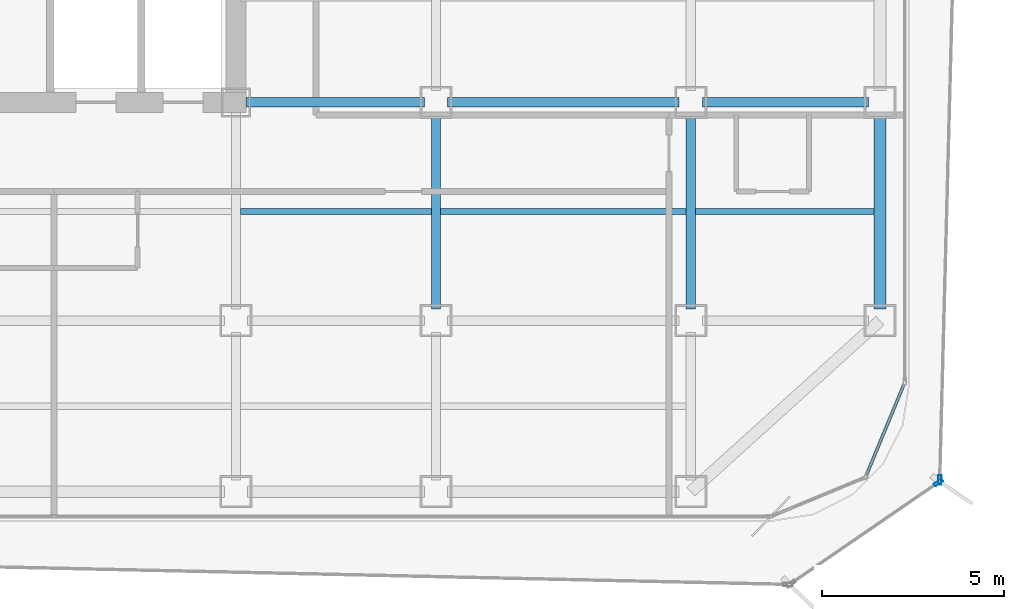
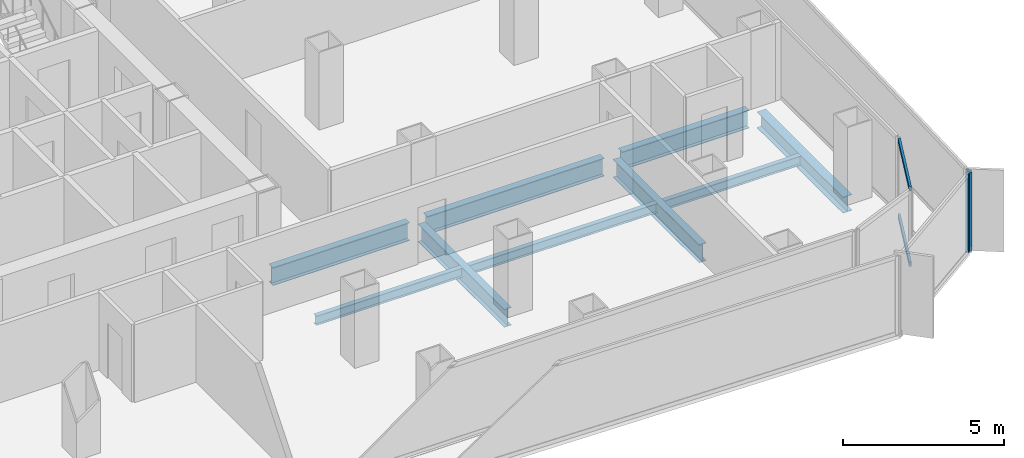
# One storey, part 7 of 21: 9 beams, 4 members, 3 elements without a shape of their own.
"""IFC4 building model written with IfcOpenShell, lengths in metres."""

from ifc_helpers import new_model, si_unit, direction, frame, origin, origin_2d, place, context, subcontext, project, spatial, hollow_rectangle, i_section, extrude, source, transform, mapped, material, layer, layer_set, material_profile, profile_set, type_object, element, aggregate, save


model = new_model("IFC4")

# Units and contexts
model_context = context("Model", 3, precision=1e-05, world=origin(), true_north=direction((0.0, 1.0)))
body_context = subcontext(model_context, "Body", "Model", "MODEL_VIEW")
ifc_project = project(units=[si_unit("LENGTHUNIT", "METRE"), si_unit("AREAUNIT", "SQUARE_METRE"), si_unit("VOLUMEUNIT", "CUBIC_METRE"), si_unit("PLANEANGLEUNIT", "RADIAN"), si_unit("MASSUNIT", "GRAM", prefix="KILO")], contexts=[model_context])

# Site, building, storey
site_placement = place(None, origin())
site = spatial("IfcSite", under=ifc_project, at=site_placement, CompositionType="ELEMENT")
building_placement = place(site_placement, origin())
building = spatial("IfcBuilding", under=site, at=building_placement, Name="Kolveth Station Tower", CompositionType="ELEMENT")
storey_placement = place(building_placement, frame((0.0, 0.0, 134.300048828125)))
storey = spatial("IfcBuildingStorey", under=building, at=storey_placement, Name="L37", CompositionType="ELEMENT", Elevation=134.300048828125)

# Beams
ifc_material_1 = material(Name="Steel S355", Category="steel")
ifc_material_profile_1 = material_profile(ifc_material_1, i_section(OverallWidth=0.323974609375, OverallDepth=0.611083984375, WebThickness=0.0126953125, FlangeThickness=0.01904296875, at=origin_2d()), Name="W610x155")
ifc_profile_set_1 = profile_set([ifc_material_profile_1], Name="Steel S355")
beam_type_1 = type_object("IfcBeamType", Name="Beam_SP2", PredefinedType="SPANDREL", material=ifc_profile_set_1)
shared_shape_1 = source(origin(), body_context, "Body", "SweptSolid", [
    extrude(i_section(OverallWidth=0.323974609375, OverallDepth=0.611083984375, WebThickness=0.0126953125, FlangeThickness=0.01904296875, at=origin_2d()), origin(), (0.0, 0.0, 1.0), 5.35986328125),
])
beam_1_placement = place(storey_placement, frame((46.199951171875, 5.820068359375, -0.5556640625), z_axis=(0.0, 1.0, 0.0), x_axis=(-1.0, 0.0, 0.0)))
element("IfcBeam", 1, at=beam_1_placement, inside=storey, type_object=beam_type_1, Name="L37 Perimeter Spandrel BM-L37-PE-1", PredefinedType="SPANDREL", context=body_context, shape_type="MappedRepresentation", body=[
    mapped(shared_shape_1, transform((0.0, 0.0, 0.0), x_axis=(1.0, 0.0, 0.0), y_axis=(0.0, 1.0, 0.0), z_axis=(0.0, 0.0, 1.0), scale=1.0)),
])
ifc_material_profile_2 = material_profile(ifc_material_1, i_section(OverallWidth=0.25390625, OverallDepth=0.68798828125, WebThickness=0.01318359375, FlangeThickness=0.02099609375, at=origin_2d()), Name="W690x152")
ifc_profile_set_2 = profile_set([ifc_material_profile_2], Name="Steel S355")
beam_type_2 = type_object("IfcBeamType", Name="Beam_B4", PredefinedType="BEAM", material=ifc_profile_set_2)
shared_shape_2 = source(origin(), body_context, "Body", "SweptSolid", [
    extrude(i_section(OverallWidth=0.25390625, OverallDepth=0.68798828125, WebThickness=0.01318359375, FlangeThickness=0.02099609375, at=origin_2d()), origin(), (0.0, 0.0, 1.0), 4.559814453125),
])
beam_2_placement = place(storey_placement, frame((41.320068359375, 11.5, -0.593994140625), z_axis=(1.0, 0.0, 0.0), x_axis=(0.0, 1.0, 0.0)))
element("IfcBeam", 2, at=beam_2_placement, inside=storey, type_object=beam_type_2, Name="L37 Primary Girder BM-L37-GY115-7", PredefinedType="BEAM", context=body_context, shape_type="MappedRepresentation", body=[
    mapped(shared_shape_2, transform((0.0, 0.0, 0.0), x_axis=(1.0, 0.0, 0.0), y_axis=(0.0, 1.0, 0.0), z_axis=(0.0, 0.0, 1.0), scale=1.0)),
])
shared_shape_3 = source(origin(), body_context, "Body", "SweptSolid", [
    extrude(i_section(OverallWidth=0.25390625, OverallDepth=0.68798828125, WebThickness=0.01318359375, FlangeThickness=0.02099609375, at=origin_2d()), origin(), (0.0, 0.0, 1.0), 6.35986328125),
])
beam_3_placement = place(storey_placement, frame((34.320068359375, 11.5, -0.593994140625), z_axis=(1.0, 0.0, 0.0), x_axis=(0.0, 1.0, 0.0)))
element("IfcBeam", 3, at=beam_3_placement, inside=storey, type_object=beam_type_2, Name="L37 Primary Girder BM-L37-GY115-6", PredefinedType="BEAM", context=body_context, shape_type="MappedRepresentation", body=[
    mapped(shared_shape_3, transform((0.0, 0.0, 0.0), x_axis=(1.0, 0.0, 0.0), y_axis=(0.0, 1.0, 0.0), z_axis=(0.0, 0.0, 1.0), scale=1.0)),
])
shared_shape_4 = source(origin(), body_context, "Body", "SweptSolid", [
    extrude(i_section(OverallWidth=0.25390625, OverallDepth=0.68798828125, WebThickness=0.01318359375, FlangeThickness=0.02099609375, at=origin_2d()), origin(), (0.0, 0.0, 1.0), 4.89990234375),
])
beam_4_placement = place(storey_placement, frame((28.780029296875, 11.5, -0.593994140625), z_axis=(1.0, 0.0, 0.0), x_axis=(0.0, 1.0, 0.0)))
element("IfcBeam", 4, at=beam_4_placement, inside=storey, type_object=beam_type_2, Name="L37 Primary Girder BM-L37-GY115-5", PredefinedType="BEAM", context=body_context, shape_type="MappedRepresentation", body=[
    mapped(shared_shape_4, transform((0.0, 0.0, 0.0), x_axis=(1.0, 0.0, 0.0), y_axis=(0.0, 1.0, 0.0), z_axis=(0.0, 0.0, 1.0), scale=1.0)),
])
shared_shape_5 = source(origin(), body_context, "Body", "SweptSolid", [
    extrude(i_section(OverallWidth=0.25390625, OverallDepth=0.68798828125, WebThickness=0.01318359375, FlangeThickness=0.02099609375, at=origin_2d()), origin(), (0.0, 0.0, 1.0), 5.35986328125),
])
for number, where, z_axis, x_axis, name in (
    (5, (34.0, 5.820068359375, -0.593994140625), (0.0, 1.0, 0.0), (-1.0, 0.0, 0.0), "L37 Primary Girder BM-L37-GX340-2"),
    (6, (41.0, 5.820068359375, -0.593994140625), (0.0, 1.0, 0.0), (-1.0, 0.0, 0.0), "L37 Primary Girder BM-L37-GX410-2"),
):
    element("IfcBeam", number, at=place(storey_placement, frame(where, z_axis=z_axis, x_axis=x_axis)), inside=storey, type_object=beam_type_2, Name=name, PredefinedType="BEAM", context=body_context, shape_type="MappedRepresentation", body=[
        mapped(shared_shape_5, transform((0.0, 0.0, 0.0), x_axis=(1.0, 0.0, 0.0), y_axis=(0.0, 1.0, 0.0), z_axis=(0.0, 0.0, 1.0), scale=1.0)),
    ])
ifc_material_profile_3 = material_profile(ifc_material_1, i_section(OverallWidth=0.1708984375, OverallDepth=0.35205078125, WebThickness=0.0068359375, FlangeThickness=0.009765625, at=origin_2d()), Name="W360x44")
ifc_profile_set_3 = profile_set([ifc_material_profile_3], Name="Steel S355")
beam_type_3 = type_object("IfcBeamType", Name="Beam_J2", PredefinedType="JOIST", material=ifc_profile_set_3)
shared_shape_6 = source(origin(), body_context, "Body", "SweptSolid", [
    extrude(i_section(OverallWidth=0.1708984375, OverallDepth=0.35205078125, WebThickness=0.0068359375, FlangeThickness=0.009765625, at=origin_2d()), origin(), (0.0, 0.0, 1.0), 4.9150390625),
])
beam_5_placement = place(storey_placement, frame((41.125, 8.5, -0.426025390625), z_axis=(1.0, 0.0, 0.0), x_axis=(0.0, 1.0, 0.0)))
element("IfcBeam", 7, at=beam_5_placement, inside=storey, type_object=beam_type_3, Name="L37 Secondary Joist JST-L37-7-2", PredefinedType="JOIST", context=body_context, shape_type="MappedRepresentation", body=[
    mapped(shared_shape_6, transform((0.0, 0.0, 0.0), x_axis=(1.0, 0.0, 0.0), y_axis=(0.0, 1.0, 0.0), z_axis=(0.0, 0.0, 1.0), scale=1.0)),
])
shared_shape_7 = source(origin(), body_context, "Body", "SweptSolid", [
    extrude(i_section(OverallWidth=0.1708984375, OverallDepth=0.35205078125, WebThickness=0.0068359375, FlangeThickness=0.009765625, at=origin_2d()), origin(), (0.0, 0.0, 1.0), 6.75),
])
beam_6_placement = place(storey_placement, frame((34.125, 8.5, -0.426025390625), z_axis=(1.0, 0.0, 0.0), x_axis=(0.0, 1.0, 0.0)))
element("IfcBeam", 8, at=beam_6_placement, inside=storey, type_object=beam_type_3, Name="L37 Secondary Joist JST-L37-6-2", PredefinedType="JOIST", context=body_context, shape_type="MappedRepresentation", body=[
    mapped(shared_shape_7, transform((0.0, 0.0, 0.0), x_axis=(1.0, 0.0, 0.0), y_axis=(0.0, 1.0, 0.0), z_axis=(0.0, 0.0, 1.0), scale=1.0)),
])
shared_shape_8 = source(origin(), body_context, "Body", "SweptSolid", [
    extrude(i_section(OverallWidth=0.1708984375, OverallDepth=0.35205078125, WebThickness=0.0068359375, FlangeThickness=0.009765625, at=origin_2d()), origin(), (0.0, 0.0, 1.0), 5.25),
])
beam_7_placement = place(storey_placement, frame((28.625, 8.5, -0.426025390625), z_axis=(1.0, 0.0, 0.0), x_axis=(0.0, 1.0, 0.0)))
element("IfcBeam", 9, at=beam_7_placement, inside=storey, type_object=beam_type_3, Name="L37 Secondary Joist JST-L37-5-2", PredefinedType="JOIST", context=body_context, shape_type="MappedRepresentation", body=[
    mapped(shared_shape_8, transform((0.0, 0.0, 0.0), x_axis=(1.0, 0.0, 0.0), y_axis=(0.0, 1.0, 0.0), z_axis=(0.0, 0.0, 1.0), scale=1.0)),
])

# Curtain wall, members
ifc_material_2 = material(Name="Aluminium 6063-T6 and low-E dark glass", Category="aluminium")
ifc_layer_1 = layer(ifc_material_2, 0.18994140625)
ifc_layer_set_1 = layer_set([ifc_layer_1], Name="Aluminium 6063-T6 and low-E dark glass")
curtain_wall_type_1 = type_object("IfcCurtainWallType", Name="CurtainWall_CW-Z2", PredefinedType="NOTDEFINED", material=ifc_layer_set_1)
curtain_wall_1_placement = place(storey_placement, origin())
curtain_wall_1 = element("IfcCurtainWall", 10, at=curtain_wall_1_placement, inside=storey, type_object=curtain_wall_type_1, Name="L37 Inner Thermal Curtain Wall 2", PredefinedType="NOTDEFINED")
ifc_material_3 = material(Name="Black anodized aluminium 6063-T6", Category="aluminium")
ifc_material_profile_4 = material_profile(ifc_material_3, hollow_rectangle(XDim=0.080078125, YDim=0.169921875, WallThickness=0.0048828125, at=origin_2d()), Name="ALU-80x170x5")
ifc_profile_set_4 = profile_set([ifc_material_profile_4], Name="Black anodized aluminium 6063-T6")
member_type_1 = type_object("IfcMemberType", Name="Transom_TR2", PredefinedType="USERDEFINED", material=ifc_profile_set_4)
shared_shape_9 = source(origin(), body_context, "Body", "SweptSolid", [
    extrude(hollow_rectangle(XDim=0.080078125, YDim=0.169921875, WallThickness=0.0048828125, at=origin_2d()), origin(), (0.0, 0.0, 1.0), 2.656494140625),
])
member_1_placement = place(storey_placement, frame((45.832763671875, 1.271728515625, 0.0400390625), z_axis=(0.382676455475, 0.923882422403, 0.0), x_axis=(-0.923882422403, 0.382676455475, 0.0)))
member_1 = element("IfcMember", 11, at=member_1_placement, type_object=member_type_1, Name="CW-Z2 transom 1.1", ObjectType="TRANSOM", PredefinedType="USERDEFINED", context=body_context, shape_type="MappedRepresentation", body=[
    mapped(shared_shape_9, transform((0.0, 0.0, 0.0), x_axis=(1.0, 0.0, 0.0), y_axis=(0.0, 1.0, 0.0), z_axis=(0.0, 0.0, 1.0), scale=1.0)),
])
member_2_placement = place(storey_placement, frame((45.832763671875, 1.271728515625, 2.909912109375), z_axis=(0.382676455475, 0.923882422403, 0.0), x_axis=(-0.923882422403, 0.382676455475, 0.0)))
member_2 = element("IfcMember", 12, at=member_2_placement, type_object=member_type_1, Name="CW-Z2 transom 1.2", ObjectType="TRANSOM", PredefinedType="USERDEFINED", context=body_context, shape_type="MappedRepresentation", body=[
    mapped(shared_shape_9, transform((0.0, 0.0, 0.0), x_axis=(1.0, 0.0, 0.0), y_axis=(0.0, 1.0, 0.0), z_axis=(0.0, 0.0, 1.0), scale=1.0)),
])
aggregate(curtain_wall_1, [member_1, member_2])

# Curtain wall, member
ifc_material_4 = material(Name="Black anodized aluminium 6063-T6 and dark solar glass", Category="aluminium")
ifc_layer_2 = layer(ifc_material_4, 0.159912109375)
ifc_layer_set_2 = layer_set([ifc_layer_2], Name="Black anodized aluminium 6063-T6 and dark solar glass")
curtain_wall_type_2 = type_object("IfcCurtainWallType", Name="OUTER SKIN CW-OS", PredefinedType="NOTDEFINED", material=ifc_layer_set_2)
curtain_wall_2_placement = place(storey_placement, origin())
curtain_wall_2 = element("IfcCurtainWall", 13, at=curtain_wall_2_placement, inside=storey, type_object=curtain_wall_type_2, Name="L37 Outer Ventilated Skin Curtain Wall 1", PredefinedType="NOTDEFINED")
ifc_material_profile_5 = material_profile(ifc_material_3, hollow_rectangle(XDim=0.090087890625, YDim=0.260009765625, WallThickness=0.0048828125, at=origin_2d()), Name="ALU-90x260x5")
ifc_profile_set_5 = profile_set([ifc_material_profile_5], Name="Black anodized aluminium 6063-T6")
member_type_2 = type_object("IfcMemberType", Name="FIN MULLION ML-OS", PredefinedType="MULLION", material=ifc_profile_set_5)
shared_shape_10 = source(origin(), body_context, "Body", "SweptSolid", [
    extrude(hollow_rectangle(XDim=0.090087890625, YDim=0.260009765625, WallThickness=0.0048828125, at=origin_2d()), origin(), (0.0, 0.0, 1.0), 2.989990234375),
])
member_3_placement = place(storey_placement, frame((47.80810546875, 1.05419921875, 0.0), z_axis=(0.0, 0.0, 1.0), x_axis=(-0.565598966987, 0.824680428132, 0.0)))
member_3 = element("IfcMember", 14, at=member_3_placement, type_object=member_type_2, Name="CW-OS mullion 2", PredefinedType="MULLION", context=body_context, shape_type="MappedRepresentation", body=[
    mapped(shared_shape_10, transform((0.0, 0.0, 0.0), x_axis=(1.0, 0.0, 0.0), y_axis=(0.0, 1.0, 0.0), z_axis=(0.0, 0.0, 1.0), scale=1.0)),
])
aggregate(curtain_wall_2, [member_3])

curtain_wall_3_placement = place(storey_placement, origin())
curtain_wall_3 = element("IfcCurtainWall", 15, at=curtain_wall_3_placement, inside=storey, type_object=curtain_wall_type_2, Name="L37 Outer Ventilated Skin Curtain Wall 2", PredefinedType="NOTDEFINED")
member_4_placement = place(storey_placement, frame((47.84619140625, 1.124755859375, 0.0), z_axis=(0.0, 0.0, 1.0), x_axis=(-0.9996588754, 0.026117672817, 0.0)))
member_4 = element("IfcMember", 16, at=member_4_placement, type_object=member_type_2, Name="CW-OS mullion 1", PredefinedType="MULLION", context=body_context, shape_type="MappedRepresentation", body=[
    mapped(shared_shape_10, transform((0.0, 0.0, 0.0), x_axis=(1.0, 0.0, 0.0), y_axis=(0.0, 1.0, 0.0), z_axis=(0.0, 0.0, 1.0), scale=1.0)),
])
aggregate(curtain_wall_3, [member_4])

save(model, "model.ifc")
